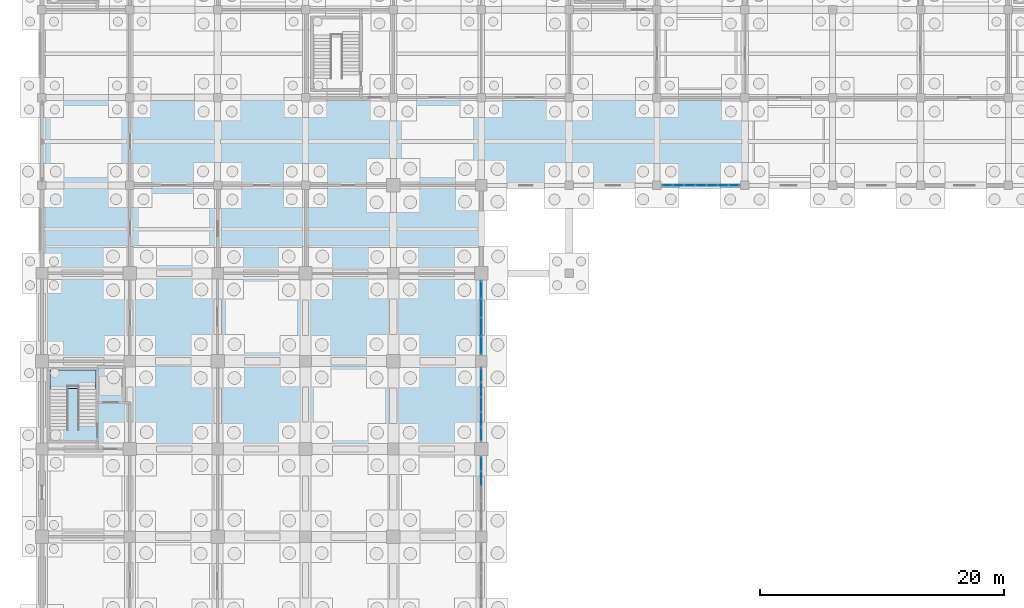
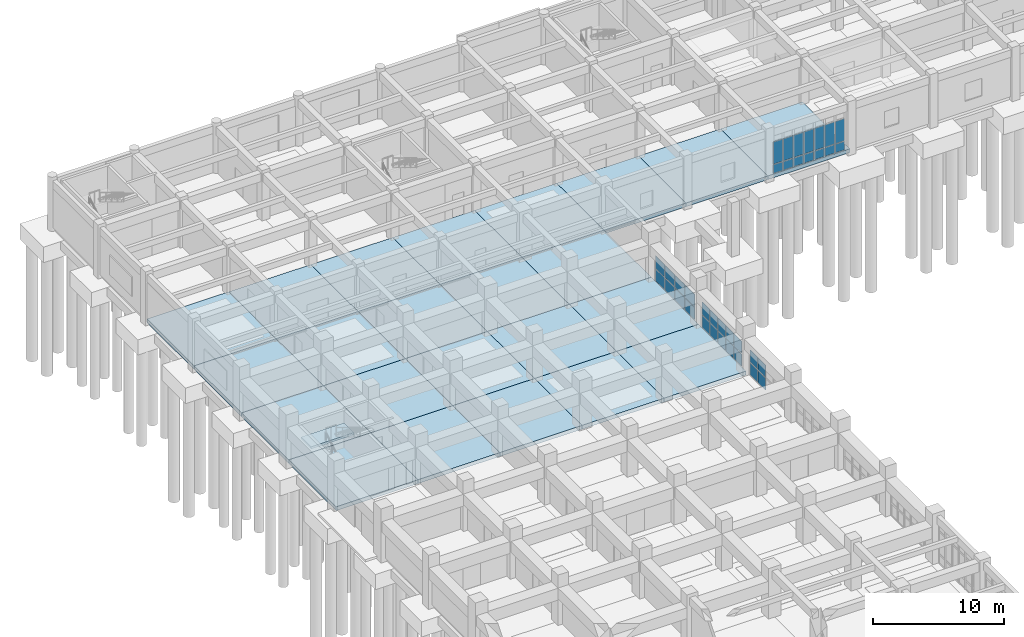
# One storey, part 47 of 79: 36 plates, 24 slabs, 5 elements without a shape of their own.
"""IFC4 building model written with IfcOpenShell, lengths in metres."""

from ifc_helpers import new_model, si_unit, direction, frame, origin, origin_2d, place, context, subcontext, project, spatial, polyline, rectangle, outline, extrude, material, layer, layer_set, type_object, element, aggregate, save


model = new_model("IFC4")

# Units and contexts
model_context = context("Model", 3, precision=1e-05, world=origin(), true_north=direction((0.0, 1.0)))
body_context = subcontext(model_context, "Body", "Model", "MODEL_VIEW")
ifc_project = project(units=[si_unit("LENGTHUNIT", "METRE"), si_unit("AREAUNIT", "SQUARE_METRE"), si_unit("VOLUMEUNIT", "CUBIC_METRE"), si_unit("PLANEANGLEUNIT", "RADIAN"), si_unit("MASSUNIT", "GRAM", prefix="KILO")], contexts=[model_context])

# Site, building, storey
site_placement = place(None, origin())
site = spatial("IfcSite", under=ifc_project, at=site_placement, CompositionType="ELEMENT")
building_placement = place(site_placement, origin())
building = spatial("IfcBuilding", under=site, at=building_placement, Name="Kavelor Marine Aquarium", CompositionType="ELEMENT")
storey_placement = place(building_placement, origin())
storey = spatial("IfcBuildingStorey", under=building, at=storey_placement, Name="L00", CompositionType="ELEMENT", Elevation=0.0)

# Curtain wall, plates
ifc_material_1 = material(Name="Thermally Broken Aluminium and Low-E Glass", Category="aluminium")
ifc_layer_1 = layer(ifc_material_1, 0.14794921875)
ifc_layer_set_1 = layer_set([ifc_layer_1], Name="CW-SYS1")
curtain_wall_type_1 = type_object("IfcCurtainWallType", Name="CW-SYS1", PredefinedType="USERDEFINED", material=ifc_layer_set_1)
curtain_wall_1_placement = place(storey_placement, origin())
curtain_wall_1 = element("IfcCurtainWall", 1, at=curtain_wall_1_placement, inside=storey, type_object=curtain_wall_type_1, Name="cw:x:L00:07_12", ObjectType="Curtain Wall", PredefinedType="USERDEFINED")
ifc_material_2 = material(Name="Solar-Control Double Low-E Glazing", Category="glass")
ifc_layer_2 = layer(ifc_material_2, 0.02587890625)
ifc_layer_set_2 = layer_set([ifc_layer_2], Name="CWP-01")
plate_type_1 = type_object("IfcPlateType", Name="CWP-01", PredefinedType="CURTAIN_PANEL", material=ifc_layer_set_2)
plate_1_placement = place(storey_placement, frame((59.928466796875, 89.199951171875, 0.074951171875), z_axis=(0.0, 0.0, 1.0), x_axis=(-1.0, 0.0, 0.0)))
plate_1 = element("IfcPlate", 2, at=plate_1_placement, type_object=plate_type_1, Name="CW01 panel 1.1", PredefinedType="CURTAIN_PANEL", context=body_context, shape_type="SweptSolid", body=[
    extrude(rectangle(XDim=0.80322265625, YDim=0.02587890625, at=origin_2d()), origin(), (0.0, 0.0, 1.0), 0.78759765625),
])
plate_2_placement = place(storey_placement, frame((59.928466796875, 89.199951171875, 0.9375), z_axis=(0.0, 0.0, 1.0), x_axis=(-1.0, 0.0, 0.0)))
plate_2 = element("IfcPlate", 3, at=plate_2_placement, type_object=plate_type_1, Name="CW01 panel 1.2", PredefinedType="CURTAIN_PANEL", context=body_context, shape_type="SweptSolid", body=[
    extrude(rectangle(XDim=0.80322265625, YDim=0.02587890625, at=origin_2d()), origin(), (0.0, 0.0, 1.0), 2.044921875),
])
plate_3_placement = place(storey_placement, frame((59.031494140625, 89.199951171875, 0.074951171875), z_axis=(0.0, 0.0, 1.0), x_axis=(-1.0, 0.0, 0.0)))
plate_3 = element("IfcPlate", 4, at=plate_3_placement, type_object=plate_type_1, Name="CW01 panel 2.1", PredefinedType="CURTAIN_PANEL", context=body_context, shape_type="SweptSolid", body=[
    extrude(rectangle(XDim=0.8408203125, YDim=0.02587890625, at=origin_2d()), origin(), (0.0, 0.0, 1.0), 0.78759765625),
])
plate_4_placement = place(storey_placement, frame((59.031494140625, 89.199951171875, 0.9375), z_axis=(0.0, 0.0, 1.0), x_axis=(-1.0, 0.0, 0.0)))
plate_4 = element("IfcPlate", 5, at=plate_4_placement, type_object=plate_type_1, Name="CW01 panel 2.2", PredefinedType="CURTAIN_PANEL", context=body_context, shape_type="SweptSolid", body=[
    extrude(rectangle(XDim=0.8408203125, YDim=0.02587890625, at=origin_2d()), origin(), (0.0, 0.0, 1.0), 2.044921875),
])
plate_5_placement = place(storey_placement, frame((58.11572265625, 89.199951171875, 0.074951171875), z_axis=(0.0, 0.0, 1.0), x_axis=(-1.0, 0.0, 0.0)))
plate_5 = element("IfcPlate", 6, at=plate_5_placement, type_object=plate_type_1, Name="CW01 panel 3.1", PredefinedType="CURTAIN_PANEL", context=body_context, shape_type="SweptSolid", body=[
    extrude(rectangle(XDim=0.8408203125, YDim=0.02587890625, at=origin_2d()), origin(), (0.0, 0.0, 1.0), 0.78759765625),
])
plate_6_placement = place(storey_placement, frame((58.11572265625, 89.199951171875, 0.9375), z_axis=(0.0, 0.0, 1.0), x_axis=(-1.0, 0.0, 0.0)))
plate_6 = element("IfcPlate", 7, at=plate_6_placement, type_object=plate_type_1, Name="CW01 panel 3.2", PredefinedType="CURTAIN_PANEL", context=body_context, shape_type="SweptSolid", body=[
    extrude(rectangle(XDim=0.8408203125, YDim=0.02587890625, at=origin_2d()), origin(), (0.0, 0.0, 1.0), 2.044921875),
])
plate_7_placement = place(storey_placement, frame((57.199951171875, 89.199951171875, 0.074951171875), z_axis=(0.0, 0.0, 1.0), x_axis=(-1.0, 0.0, 0.0)))
plate_7 = element("IfcPlate", 8, at=plate_7_placement, type_object=plate_type_1, Name="CW01 panel 4.1", PredefinedType="CURTAIN_PANEL", context=body_context, shape_type="SweptSolid", body=[
    extrude(rectangle(XDim=0.8408203125, YDim=0.02587890625, at=origin_2d()), origin(), (0.0, 0.0, 1.0), 0.78759765625),
])
plate_8_placement = place(storey_placement, frame((57.199951171875, 89.199951171875, 0.9375), z_axis=(0.0, 0.0, 1.0), x_axis=(-1.0, 0.0, 0.0)))
plate_8 = element("IfcPlate", 9, at=plate_8_placement, type_object=plate_type_1, Name="CW01 panel 4.2", PredefinedType="CURTAIN_PANEL", context=body_context, shape_type="SweptSolid", body=[
    extrude(rectangle(XDim=0.8408203125, YDim=0.02587890625, at=origin_2d()), origin(), (0.0, 0.0, 1.0), 2.044921875),
])
plate_9_placement = place(storey_placement, frame((56.2841796875, 89.199951171875, 0.074951171875), z_axis=(0.0, 0.0, 1.0), x_axis=(-1.0, 0.0, 0.0)))
plate_9 = element("IfcPlate", 10, at=plate_9_placement, type_object=plate_type_1, Name="CW01 panel 5.1", PredefinedType="CURTAIN_PANEL", context=body_context, shape_type="SweptSolid", body=[
    extrude(rectangle(XDim=0.8408203125, YDim=0.02587890625, at=origin_2d()), origin(), (0.0, 0.0, 1.0), 0.78759765625),
])
plate_10_placement = place(storey_placement, frame((56.2841796875, 89.199951171875, 0.9375), z_axis=(0.0, 0.0, 1.0), x_axis=(-1.0, 0.0, 0.0)))
plate_10 = element("IfcPlate", 11, at=plate_10_placement, type_object=plate_type_1, Name="CW01 panel 5.2", PredefinedType="CURTAIN_PANEL", context=body_context, shape_type="SweptSolid", body=[
    extrude(rectangle(XDim=0.8408203125, YDim=0.02587890625, at=origin_2d()), origin(), (0.0, 0.0, 1.0), 2.044921875),
])
plate_11_placement = place(storey_placement, frame((55.36865234375, 89.199951171875, 0.074951171875), z_axis=(0.0, 0.0, 1.0), x_axis=(-1.0, 0.0, 0.0)))
plate_11 = element("IfcPlate", 12, at=plate_11_placement, type_object=plate_type_1, Name="CW01 panel 6.1", PredefinedType="CURTAIN_PANEL", context=body_context, shape_type="SweptSolid", body=[
    extrude(rectangle(XDim=0.8408203125, YDim=0.02587890625, at=origin_2d()), origin(), (0.0, 0.0, 1.0), 0.78759765625),
])
plate_12_placement = place(storey_placement, frame((55.36865234375, 89.199951171875, 0.9375), z_axis=(0.0, 0.0, 1.0), x_axis=(-1.0, 0.0, 0.0)))
plate_12 = element("IfcPlate", 13, at=plate_12_placement, type_object=plate_type_1, Name="CW01 panel 6.2", PredefinedType="CURTAIN_PANEL", context=body_context, shape_type="SweptSolid", body=[
    extrude(rectangle(XDim=0.8408203125, YDim=0.02587890625, at=origin_2d()), origin(), (0.0, 0.0, 1.0), 2.044921875),
])
plate_13_placement = place(storey_placement, frame((54.4716796875, 89.199951171875, 0.074951171875), z_axis=(0.0, 0.0, 1.0), x_axis=(-1.0, 0.0, 0.0)))
plate_13 = element("IfcPlate", 14, at=plate_13_placement, type_object=plate_type_1, Name="CW01 panel 7.1", PredefinedType="CURTAIN_PANEL", context=body_context, shape_type="SweptSolid", body=[
    extrude(rectangle(XDim=0.80322265625, YDim=0.02587890625, at=origin_2d()), origin(), (0.0, 0.0, 1.0), 0.78759765625),
])
plate_14_placement = place(storey_placement, frame((54.4716796875, 89.199951171875, 0.9375), z_axis=(0.0, 0.0, 1.0), x_axis=(-1.0, 0.0, 0.0)))
plate_14 = element("IfcPlate", 15, at=plate_14_placement, type_object=plate_type_1, Name="CW01 panel 7.2", PredefinedType="CURTAIN_PANEL", context=body_context, shape_type="SweptSolid", body=[
    extrude(rectangle(XDim=0.80322265625, YDim=0.02587890625, at=origin_2d()), origin(), (0.0, 0.0, 1.0), 2.044921875),
])
aggregate(curtain_wall_1, [plate_1, plate_2, plate_3, plate_4, plate_5, plate_6, plate_7, plate_8, plate_9, plate_10, plate_11, plate_12, plate_13, plate_14])

ifc_material_3 = material(Name="Thermally Broken Aluminium and Low-E Glass", Category="aluminium")
ifc_layer_3 = layer(ifc_material_3, 0.196044921875)
ifc_layer_set_3 = layer_set([ifc_layer_3], Name="CW-SYS7")
curtain_wall_type_2 = type_object("IfcCurtainWallType", Name="CW-SYS7", PredefinedType="USERDEFINED", material=ifc_layer_set_3)
curtain_wall_2_placement = place(storey_placement, origin())
curtain_wall_2 = element("IfcCurtainWall", 16, at=curtain_wall_2_placement, inside=storey, type_object=curtain_wall_type_2, Name="cw:y:L00:05_08", ObjectType="Curtain Wall", PredefinedType="USERDEFINED")
ifc_material_4 = material(Name="Solar-Control Double Low-E Glazing", Category="glass")
ifc_layer_4 = layer(ifc_material_4, 0.0380859375)
ifc_layer_set_4 = layer_set([ifc_layer_4], Name="CWP-07")
plate_type_2 = type_object("IfcPlateType", Name="CWP-07", PredefinedType="CURTAIN_PANEL", material=ifc_layer_set_4)
plate_15_placement = place(storey_placement, frame((39.199951171875, 65.179443359375, 0.074951171875), z_axis=(0.0, 0.0, 1.0), x_axis=(0.0, 1.0, 0.0)))
plate_15 = element("IfcPlate", 17, at=plate_15_placement, type_object=plate_type_2, Name="CW07 panel 4.1", PredefinedType="CURTAIN_PANEL", context=body_context, shape_type="SweptSolid", body=[
    extrude(rectangle(XDim=1.14208984375, YDim=0.0380859375, at=origin_2d()), origin(), (0.0, 0.0, 1.0), 1.12255859375),
])
plate_16_placement = place(storey_placement, frame((39.199951171875, 65.179443359375, 1.2724609375), z_axis=(0.0, 0.0, 1.0), x_axis=(0.0, 1.0, 0.0)))
plate_16 = element("IfcPlate", 18, at=plate_16_placement, type_object=plate_type_2, Name="CW07 panel 4.2", PredefinedType="CURTAIN_PANEL", context=body_context, shape_type="SweptSolid", body=[
    extrude(rectangle(XDim=1.14208984375, YDim=0.0380859375, at=origin_2d()), origin(), (0.0, 0.0, 1.0), 1.12255859375),
])
plate_17_placement = place(storey_placement, frame((39.199951171875, 66.377685546875, 0.074951171875), z_axis=(0.0, 0.0, 1.0), x_axis=(0.0, 1.0, 0.0)))
plate_17 = element("IfcPlate", 19, at=plate_17_placement, type_object=plate_type_2, Name="CW07 panel 5.1", PredefinedType="CURTAIN_PANEL", context=body_context, shape_type="SweptSolid", body=[
    extrude(rectangle(XDim=1.1044921875, YDim=0.0380859375, at=origin_2d()), origin(), (0.0, 0.0, 1.0), 1.12255859375),
])
plate_18_placement = place(storey_placement, frame((39.199951171875, 66.377685546875, 1.2724609375), z_axis=(0.0, 0.0, 1.0), x_axis=(0.0, 1.0, 0.0)))
plate_18 = element("IfcPlate", 20, at=plate_18_placement, type_object=plate_type_2, Name="CW07 panel 5.2", PredefinedType="CURTAIN_PANEL", context=body_context, shape_type="SweptSolid", body=[
    extrude(rectangle(XDim=1.1044921875, YDim=0.0380859375, at=origin_2d()), origin(), (0.0, 0.0, 1.0), 1.12255859375),
])
aggregate(curtain_wall_2, [plate_15, plate_16, plate_17, plate_18])

ifc_material_5 = material(Name="Thermally Broken Aluminium and Low-E Glass", Category="aluminium")
ifc_layer_5 = layer(ifc_material_5, 0.2041015625)
ifc_layer_set_5 = layer_set([ifc_layer_5], Name="CW-SYS8")
curtain_wall_type_3 = type_object("IfcCurtainWallType", Name="CW-SYS8", PredefinedType="USERDEFINED", material=ifc_layer_set_5)
curtain_wall_3_placement = place(storey_placement, origin())
curtain_wall_3 = element("IfcCurtainWall", 21, at=curtain_wall_3_placement, inside=storey, type_object=curtain_wall_type_3, Name="cw:y:L00:05_09", ObjectType="Curtain Wall", PredefinedType="USERDEFINED")
ifc_material_6 = material(Name="Solar-Control Double Low-E Glazing", Category="glass")
ifc_layer_6 = layer(ifc_material_6, 0.0400390625)
ifc_layer_set_6 = layer_set([ifc_layer_6], Name="CWP-08")
plate_type_3 = type_object("IfcPlateType", Name="CWP-08", PredefinedType="CURTAIN_PANEL", material=ifc_layer_set_6)
plate_19_placement = place(storey_placement, frame((39.199951171875, 68.81982421875, 0.06494140625), z_axis=(0.0, 0.0, 1.0), x_axis=(0.0, 1.0, 0.0)))
plate_19 = element("IfcPlate", 22, at=plate_19_placement, type_object=plate_type_3, Name="CW08 panel 1.1", PredefinedType="CURTAIN_PANEL", context=body_context, shape_type="SweptSolid", body=[
    extrude(rectangle(XDim=1.119384765625, YDim=0.0400390625, at=origin_2d()), origin(), (0.0, 0.0, 1.0), 1.137451171875),
])
plate_20_placement = place(storey_placement, frame((39.199951171875, 68.81982421875, 1.267578125), z_axis=(0.0, 0.0, 1.0), x_axis=(0.0, 1.0, 0.0)))
plate_20 = element("IfcPlate", 23, at=plate_20_placement, type_object=plate_type_3, Name="CW08 panel 1.2", PredefinedType="CURTAIN_PANEL", context=body_context, shape_type="SweptSolid", body=[
    extrude(rectangle(XDim=1.119384765625, YDim=0.0400390625, at=origin_2d()), origin(), (0.0, 0.0, 1.0), 1.137451171875),
])
plate_21_placement = place(storey_placement, frame((39.199951171875, 70.0205078125, 0.06494140625), z_axis=(0.0, 0.0, 1.0), x_axis=(0.0, 1.0, 0.0)))
plate_21 = element("IfcPlate", 24, at=plate_21_placement, type_object=plate_type_3, Name="CW08 panel 2.1", PredefinedType="CURTAIN_PANEL", context=body_context, shape_type="SweptSolid", body=[
    extrude(rectangle(XDim=1.152099609375, YDim=0.0400390625, at=origin_2d()), origin(), (0.0, 0.0, 1.0), 1.137451171875),
])
plate_22_placement = place(storey_placement, frame((39.199951171875, 70.0205078125, 1.267578125), z_axis=(0.0, 0.0, 1.0), x_axis=(0.0, 1.0, 0.0)))
plate_22 = element("IfcPlate", 25, at=plate_22_placement, type_object=plate_type_3, Name="CW08 panel 2.2", PredefinedType="CURTAIN_PANEL", context=body_context, shape_type="SweptSolid", body=[
    extrude(rectangle(XDim=1.152099609375, YDim=0.0400390625, at=origin_2d()), origin(), (0.0, 0.0, 1.0), 1.137451171875),
])
plate_23_placement = place(storey_placement, frame((39.199951171875, 71.237548828125, 0.06494140625), z_axis=(0.0, 0.0, 1.0), x_axis=(0.0, 1.0, 0.0)))
plate_23 = element("IfcPlate", 26, at=plate_23_placement, type_object=plate_type_3, Name="CW08 panel 3.1", PredefinedType="CURTAIN_PANEL", context=body_context, shape_type="SweptSolid", body=[
    extrude(rectangle(XDim=1.152099609375, YDim=0.0400390625, at=origin_2d()), origin(), (0.0, 0.0, 1.0), 1.137451171875),
])
plate_24_placement = place(storey_placement, frame((39.199951171875, 71.237548828125, 1.267578125), z_axis=(0.0, 0.0, 1.0), x_axis=(0.0, 1.0, 0.0)))
plate_24 = element("IfcPlate", 27, at=plate_24_placement, type_object=plate_type_3, Name="CW08 panel 3.2", PredefinedType="CURTAIN_PANEL", context=body_context, shape_type="SweptSolid", body=[
    extrude(rectangle(XDim=1.152099609375, YDim=0.0400390625, at=origin_2d()), origin(), (0.0, 0.0, 1.0), 1.137451171875),
])
plate_25_placement = place(storey_placement, frame((39.199951171875, 72.45458984375, 0.06494140625), z_axis=(0.0, 0.0, 1.0), x_axis=(0.0, 1.0, 0.0)))
plate_25 = element("IfcPlate", 28, at=plate_25_placement, type_object=plate_type_3, Name="CW08 panel 4.1", PredefinedType="CURTAIN_PANEL", context=body_context, shape_type="SweptSolid", body=[
    extrude(rectangle(XDim=1.152099609375, YDim=0.0400390625, at=origin_2d()), origin(), (0.0, 0.0, 1.0), 1.137451171875),
])
plate_26_placement = place(storey_placement, frame((39.199951171875, 72.45458984375, 1.267578125), z_axis=(0.0, 0.0, 1.0), x_axis=(0.0, 1.0, 0.0)))
plate_26 = element("IfcPlate", 29, at=plate_26_placement, type_object=plate_type_3, Name="CW08 panel 4.2", PredefinedType="CURTAIN_PANEL", context=body_context, shape_type="SweptSolid", body=[
    extrude(rectangle(XDim=1.152099609375, YDim=0.0400390625, at=origin_2d()), origin(), (0.0, 0.0, 1.0), 1.137451171875),
])
plate_27_placement = place(storey_placement, frame((39.199951171875, 73.6552734375, 0.06494140625), z_axis=(0.0, 0.0, 1.0), x_axis=(0.0, 1.0, 0.0)))
plate_27 = element("IfcPlate", 30, at=plate_27_placement, type_object=plate_type_3, Name="CW08 panel 5.1", PredefinedType="CURTAIN_PANEL", context=body_context, shape_type="SweptSolid", body=[
    extrude(rectangle(XDim=1.119384765625, YDim=0.0400390625, at=origin_2d()), origin(), (0.0, 0.0, 1.0), 1.137451171875),
])
plate_28_placement = place(storey_placement, frame((39.199951171875, 73.6552734375, 1.267578125), z_axis=(0.0, 0.0, 1.0), x_axis=(0.0, 1.0, 0.0)))
plate_28 = element("IfcPlate", 31, at=plate_28_placement, type_object=plate_type_3, Name="CW08 panel 5.2", PredefinedType="CURTAIN_PANEL", context=body_context, shape_type="SweptSolid", body=[
    extrude(rectangle(XDim=1.119384765625, YDim=0.0400390625, at=origin_2d()), origin(), (0.0, 0.0, 1.0), 1.137451171875),
])
aggregate(curtain_wall_3, [plate_19, plate_20, plate_21, plate_22, plate_23, plate_24, plate_25, plate_26, plate_27, plate_28])

ifc_material_7 = material(Name="Thermally Broken Aluminium and Low-E Glass", Category="aluminium")
ifc_layer_7 = layer(ifc_material_7, 0.2119140625)
ifc_layer_set_7 = layer_set([ifc_layer_7], Name="CW-SYS9")
curtain_wall_type_4 = type_object("IfcCurtainWallType", Name="CW-SYS9", PredefinedType="USERDEFINED", material=ifc_layer_set_7)
curtain_wall_4_placement = place(storey_placement, origin())
curtain_wall_4 = element("IfcCurtainWall", 32, at=curtain_wall_4_placement, inside=storey, type_object=curtain_wall_type_4, Name="cw:y:L00:05_10", ObjectType="Curtain Wall", PredefinedType="USERDEFINED")
ifc_material_8 = material(Name="Solar-Control Double Low-E Glazing", Category="glass")
ifc_layer_8 = layer(ifc_material_8, 0.0419921875)
ifc_layer_set_8 = layer_set([ifc_layer_8], Name="CWP-09")
plate_type_4 = type_object("IfcPlateType", Name="CWP-09", PredefinedType="CURTAIN_PANEL", material=ifc_layer_set_8)
plate_29_placement = place(storey_placement, frame((39.199951171875, 76.095703125, 0.06494140625), z_axis=(0.0, 0.0, 1.0), x_axis=(0.0, 1.0, 0.0)))
plate_29 = element("IfcPlate", 33, at=plate_29_placement, type_object=plate_type_4, Name="CW09 panel 1.1", PredefinedType="CURTAIN_PANEL", context=body_context, shape_type="SweptSolid", body=[
    extrude(rectangle(XDim=1.43115234375, YDim=0.0419921875, at=origin_2d()), origin(), (0.0, 0.0, 1.0), 1.137451171875),
])
plate_30_placement = place(storey_placement, frame((39.199951171875, 76.095703125, 1.267578125), z_axis=(0.0, 0.0, 1.0), x_axis=(0.0, 1.0, 0.0)))
plate_30 = element("IfcPlate", 34, at=plate_30_placement, type_object=plate_type_4, Name="CW09 panel 1.2", PredefinedType="CURTAIN_PANEL", context=body_context, shape_type="SweptSolid", body=[
    extrude(rectangle(XDim=1.43115234375, YDim=0.0419921875, at=origin_2d()), origin(), (0.0, 0.0, 1.0), 1.137451171875),
])
plate_31_placement = place(storey_placement, frame((39.199951171875, 77.601806640625, 0.06494140625), z_axis=(0.0, 0.0, 1.0), x_axis=(0.0, 1.0, 0.0)))
plate_31 = element("IfcPlate", 35, at=plate_31_placement, type_object=plate_type_4, Name="CW09 panel 2.1", PredefinedType="CURTAIN_PANEL", context=body_context, shape_type="SweptSolid", body=[
    extrude(rectangle(XDim=1.461181640625, YDim=0.0419921875, at=origin_2d()), origin(), (0.0, 0.0, 1.0), 1.137451171875),
])
plate_32_placement = place(storey_placement, frame((39.199951171875, 77.601806640625, 1.267578125), z_axis=(0.0, 0.0, 1.0), x_axis=(0.0, 1.0, 0.0)))
plate_32 = element("IfcPlate", 36, at=plate_32_placement, type_object=plate_type_4, Name="CW09 panel 2.2", PredefinedType="CURTAIN_PANEL", context=body_context, shape_type="SweptSolid", body=[
    extrude(rectangle(XDim=1.461181640625, YDim=0.0419921875, at=origin_2d()), origin(), (0.0, 0.0, 1.0), 1.137451171875),
])
plate_33_placement = place(storey_placement, frame((39.199951171875, 79.123046875, 0.06494140625), z_axis=(0.0, 0.0, 1.0), x_axis=(0.0, 1.0, 0.0)))
plate_33 = element("IfcPlate", 37, at=plate_33_placement, type_object=plate_type_4, Name="CW09 panel 3.1", PredefinedType="CURTAIN_PANEL", context=body_context, shape_type="SweptSolid", body=[
    extrude(rectangle(XDim=1.461181640625, YDim=0.0419921875, at=origin_2d()), origin(), (0.0, 0.0, 1.0), 1.137451171875),
])
plate_34_placement = place(storey_placement, frame((39.199951171875, 79.123046875, 1.267578125), z_axis=(0.0, 0.0, 1.0), x_axis=(0.0, 1.0, 0.0)))
plate_34 = element("IfcPlate", 38, at=plate_34_placement, type_object=plate_type_4, Name="CW09 panel 3.2", PredefinedType="CURTAIN_PANEL", context=body_context, shape_type="SweptSolid", body=[
    extrude(rectangle(XDim=1.461181640625, YDim=0.0419921875, at=origin_2d()), origin(), (0.0, 0.0, 1.0), 1.137451171875),
])
plate_35_placement = place(storey_placement, frame((39.199951171875, 80.62939453125, 0.06494140625), z_axis=(0.0, 0.0, 1.0), x_axis=(0.0, 1.0, 0.0)))
plate_35 = element("IfcPlate", 39, at=plate_35_placement, type_object=plate_type_4, Name="CW09 panel 4.1", PredefinedType="CURTAIN_PANEL", context=body_context, shape_type="SweptSolid", body=[
    extrude(rectangle(XDim=1.43115234375, YDim=0.0419921875, at=origin_2d()), origin(), (0.0, 0.0, 1.0), 1.137451171875),
])
plate_36_placement = place(storey_placement, frame((39.199951171875, 80.62939453125, 1.267578125), z_axis=(0.0, 0.0, 1.0), x_axis=(0.0, 1.0, 0.0)))
plate_36 = element("IfcPlate", 40, at=plate_36_placement, type_object=plate_type_4, Name="CW09 panel 4.2", PredefinedType="CURTAIN_PANEL", context=body_context, shape_type="SweptSolid", body=[
    extrude(rectangle(XDim=1.43115234375, YDim=0.0419921875, at=origin_2d()), origin(), (0.0, 0.0, 1.0), 1.137451171875),
])
aggregate(curtain_wall_4, [plate_29, plate_30, plate_31, plate_32, plate_33, plate_34, plate_35, plate_36])

# Stair, slab
ifc_material_9 = material(Name="Concrete C40/50", Category="concrete")
stair_type = type_object("IfcStairType", Name="ST-T1", PredefinedType="HALF_TURN_STAIR", material=ifc_material_9)
stair_placement = place(storey_placement, origin())
stair = element("IfcStair", 41, at=stair_placement, inside=storey, type_object=stair_type, Name="Exit Stair ST03 (L00)", PredefinedType="HALF_TURN_STAIR")
ifc_material_10 = material(Name="Concrete C40/50", Category="concrete")
ifc_layer_9 = layer(ifc_material_10, 0.199951171875)
ifc_layer_set_9 = layer_set([ifc_layer_9], Name="LND-T1")
slab_type_1 = type_object("IfcSlabType", Name="LND-T1", PredefinedType="LANDING", material=ifc_layer_set_9)
slab_1_placement = place(storey_placement, frame((0.0, 0.0, 2.139892578125)))
slab_1 = element("IfcSlab", 42, at=slab_1_placement, type_object=slab_type_1, Name="ST03 landing 1", PredefinedType="LANDING", context=body_context, shape_type="SweptSolid", body=[
    extrude(outline(polyline([(3.860107421875, 72.554931640625), (7.6201171875, 72.554931640625), (7.6201171875, 74.06005859375), (3.860107421875, 74.06005859375), (3.860107421875, 72.554931640625)])), origin(), (0.0, 0.0, 1.0), 0.2001953125),
])
aggregate(stair, [slab_1])

# Slabs
ifc_material_11 = material(Name="Concrete C40/50", Category="concrete")
ifc_layer_10 = layer(ifc_material_11, 0.35009765625)
ifc_layer_set_10 = layer_set([ifc_layer_10], Name="SL-BS2")
slab_type_2 = type_object("IfcSlabType", Name="SL-BS2", PredefinedType="BASESLAB", material=ifc_layer_set_10)
slab_2_placement = place(storey_placement, frame((0.0, 0.0, -0.35009765625)))
element("IfcSlab", 43, at=slab_2_placement, inside=storey, type_object=slab_type_2, Name="slab:L00:00_09", PredefinedType="BASESLAB", context=body_context, shape_type="SweptSolid", body=[
    extrude(outline(polyline([(3.199951171875, 67.60009765625), (10.39990234375, 67.60009765625), (10.39990234375, 74.800048828125), (3.199951171875, 74.800048828125), (3.199951171875, 67.60009765625)])), origin(), (0.0, 0.0, 1.0), 0.35009765625),
])
slab_3_placement = place(storey_placement, frame((0.0, 0.0, -0.35009765625)))
element("IfcSlab", 44, at=slab_3_placement, inside=storey, type_object=slab_type_2, Name="slab:L00:00_10", PredefinedType="BASESLAB", context=body_context, shape_type="SweptSolid", body=[
    extrude(outline(polyline([(3.199951171875, 74.800048828125), (10.39990234375, 74.800048828125), (10.39990234375, 82.0), (3.199951171875, 82.0), (3.199951171875, 74.800048828125)])), origin(), (0.0, 0.0, 1.0), 0.35009765625),
])
slab_4_placement = place(storey_placement, frame((0.0, 0.0, -0.35009765625)))
element("IfcSlab", 45, at=slab_4_placement, inside=storey, type_object=slab_type_2, Name="slab:L00:00_11", PredefinedType="BASESLAB", context=body_context, shape_type="SweptSolid", body=[
    extrude(outline(polyline([(3.199951171875, 82.0), (10.39990234375, 82.0), (10.39990234375, 89.199951171875), (3.199951171875, 89.199951171875), (3.199951171875, 82.0)])), origin(), (0.0, 0.0, 1.0), 0.35009765625),
])
slab_5_placement = place(storey_placement, frame((0.0, 0.0, -0.35009765625)))
element("IfcSlab", 46, at=slab_5_placement, inside=storey, type_object=slab_type_2, Name="slab:L00:00_12", PredefinedType="BASESLAB", context=body_context, shape_type="SweptSolid", body=[
    extrude(outline(polyline([(3.199951171875, 89.199951171875), (10.39990234375, 89.199951171875), (10.39990234375, 96.39990234375), (3.199951171875, 96.39990234375), (3.199951171875, 89.199951171875)])), origin(), (0.0, 0.0, 1.0), 0.35009765625),
])
slab_6_placement = place(storey_placement, frame((0.0, 0.0, -0.35009765625)))
element("IfcSlab", 47, at=slab_6_placement, inside=storey, type_object=slab_type_2, Name="slab:L00:01_09", PredefinedType="BASESLAB", context=body_context, shape_type="SweptSolid", body=[
    extrude(outline(polyline([(10.39990234375, 67.60009765625), (17.60009765625, 67.60009765625), (17.60009765625, 74.800048828125), (10.39990234375, 74.800048828125), (10.39990234375, 67.60009765625)])), origin(), (0.0, 0.0, 1.0), 0.35009765625),
])
slab_7_placement = place(storey_placement, frame((0.0, 0.0, -0.35009765625)))
element("IfcSlab", 48, at=slab_7_placement, inside=storey, type_object=slab_type_2, Name="slab:L00:01_10", PredefinedType="BASESLAB", context=body_context, shape_type="SweptSolid", body=[
    extrude(outline(polyline([(10.39990234375, 74.800048828125), (17.60009765625, 74.800048828125), (17.60009765625, 82.0), (10.39990234375, 82.0), (10.39990234375, 74.800048828125)])), origin(), (0.0, 0.0, 1.0), 0.35009765625),
])
slab_8_placement = place(storey_placement, frame((0.0, 0.0, -0.35009765625)))
element("IfcSlab", 49, at=slab_8_placement, inside=storey, type_object=slab_type_2, Name="slab:L00:01_11", PredefinedType="BASESLAB", context=body_context, shape_type="SweptSolid", body=[
    extrude(outline(polyline([(10.39990234375, 82.0), (17.60009765625, 82.0), (17.60009765625, 89.199951171875), (10.39990234375, 89.199951171875), (10.39990234375, 82.0)])), origin(), (0.0, 0.0, 1.0), 0.35009765625),
])
slab_9_placement = place(storey_placement, frame((0.0, 0.0, -0.35009765625)))
element("IfcSlab", 50, at=slab_9_placement, inside=storey, type_object=slab_type_2, Name="slab:L00:01_12", PredefinedType="BASESLAB", context=body_context, shape_type="SweptSolid", body=[
    extrude(outline(polyline([(10.39990234375, 89.199951171875), (17.60009765625, 89.199951171875), (17.60009765625, 96.39990234375), (10.39990234375, 96.39990234375), (10.39990234375, 89.199951171875)])), origin(), (0.0, 0.0, 1.0), 0.35009765625),
])
slab_10_placement = place(storey_placement, frame((0.0, 0.0, -0.35009765625)))
element("IfcSlab", 51, at=slab_10_placement, inside=storey, type_object=slab_type_2, Name="slab:L00:02_09", PredefinedType="BASESLAB", context=body_context, shape_type="SweptSolid", body=[
    extrude(outline(polyline([(17.60009765625, 67.60009765625), (24.800048828125, 67.60009765625), (24.800048828125, 74.800048828125), (17.60009765625, 74.800048828125), (17.60009765625, 67.60009765625)])), origin(), (0.0, 0.0, 1.0), 0.35009765625),
])
slab_11_placement = place(storey_placement, frame((0.0, 0.0, -0.35009765625)))
element("IfcSlab", 52, at=slab_11_placement, inside=storey, type_object=slab_type_2, Name="slab:L00:02_10", PredefinedType="BASESLAB", context=body_context, shape_type="SweptSolid", body=[
    extrude(outline(polyline([(17.60009765625, 74.800048828125), (24.800048828125, 74.800048828125), (24.800048828125, 82.0), (17.60009765625, 82.0), (17.60009765625, 74.800048828125)])), origin(), (0.0, 0.0, 1.0), 0.35009765625),
])
slab_12_placement = place(storey_placement, frame((0.0, 0.0, -0.35009765625)))
element("IfcSlab", 53, at=slab_12_placement, inside=storey, type_object=slab_type_2, Name="slab:L00:02_11", PredefinedType="BASESLAB", context=body_context, shape_type="SweptSolid", body=[
    extrude(outline(polyline([(17.60009765625, 82.0), (24.800048828125, 82.0), (24.800048828125, 89.199951171875), (17.60009765625, 89.199951171875), (17.60009765625, 82.0)])), origin(), (0.0, 0.0, 1.0), 0.35009765625),
])
slab_13_placement = place(storey_placement, frame((0.0, 0.0, -0.35009765625)))
element("IfcSlab", 54, at=slab_13_placement, inside=storey, type_object=slab_type_2, Name="slab:L00:02_12", PredefinedType="BASESLAB", context=body_context, shape_type="SweptSolid", body=[
    extrude(outline(polyline([(17.60009765625, 89.199951171875), (24.800048828125, 89.199951171875), (24.800048828125, 96.39990234375), (17.60009765625, 96.39990234375), (17.60009765625, 89.199951171875)])), origin(), (0.0, 0.0, 1.0), 0.35009765625),
])
slab_14_placement = place(storey_placement, frame((0.0, 0.0, -0.35009765625)))
element("IfcSlab", 55, at=slab_14_placement, inside=storey, type_object=slab_type_2, Name="slab:L00:03_09", PredefinedType="BASESLAB", context=body_context, shape_type="SweptSolid", body=[
    extrude(outline(polyline([(24.800048828125, 67.60009765625), (32.0, 67.60009765625), (32.0, 74.800048828125), (24.800048828125, 74.800048828125), (24.800048828125, 67.60009765625)])), origin(), (0.0, 0.0, 1.0), 0.35009765625),
])
slab_15_placement = place(storey_placement, frame((0.0, 0.0, -0.35009765625)))
element("IfcSlab", 56, at=slab_15_placement, inside=storey, type_object=slab_type_2, Name="slab:L00:03_10", PredefinedType="BASESLAB", context=body_context, shape_type="SweptSolid", body=[
    extrude(outline(polyline([(24.800048828125, 74.800048828125), (32.0, 74.800048828125), (32.0, 82.0), (24.800048828125, 82.0), (24.800048828125, 74.800048828125)])), origin(), (0.0, 0.0, 1.0), 0.35009765625),
])
slab_16_placement = place(storey_placement, frame((0.0, 0.0, -0.35009765625)))
element("IfcSlab", 57, at=slab_16_placement, inside=storey, type_object=slab_type_2, Name="slab:L00:03_11", PredefinedType="BASESLAB", context=body_context, shape_type="SweptSolid", body=[
    extrude(outline(polyline([(24.800048828125, 82.0), (32.0, 82.0), (32.0, 89.199951171875), (24.800048828125, 89.199951171875), (24.800048828125, 82.0)])), origin(), (0.0, 0.0, 1.0), 0.35009765625),
])
slab_17_placement = place(storey_placement, frame((0.0, 0.0, -0.35009765625)))
element("IfcSlab", 58, at=slab_17_placement, inside=storey, type_object=slab_type_2, Name="slab:L00:03_12", PredefinedType="BASESLAB", context=body_context, shape_type="SweptSolid", body=[
    extrude(outline(polyline([(24.800048828125, 89.199951171875), (32.0, 89.199951171875), (32.0, 96.39990234375), (24.800048828125, 96.39990234375), (24.800048828125, 89.199951171875)])), origin(), (0.0, 0.0, 1.0), 0.35009765625),
])
slab_18_placement = place(storey_placement, frame((0.0, 0.0, -0.35009765625)))
element("IfcSlab", 59, at=slab_18_placement, inside=storey, type_object=slab_type_2, Name="slab:L00:04_09", PredefinedType="BASESLAB", context=body_context, shape_type="SweptSolid", body=[
    extrude(outline(polyline([(32.0, 67.60009765625), (39.199951171875, 67.60009765625), (39.199951171875, 74.800048828125), (32.0, 74.800048828125), (32.0, 67.60009765625)])), origin(), (0.0, 0.0, 1.0), 0.35009765625),
])
slab_19_placement = place(storey_placement, frame((0.0, 0.0, -0.35009765625)))
element("IfcSlab", 60, at=slab_19_placement, inside=storey, type_object=slab_type_2, Name="slab:L00:04_10", PredefinedType="BASESLAB", context=body_context, shape_type="SweptSolid", body=[
    extrude(outline(polyline([(32.0, 74.800048828125), (39.199951171875, 74.800048828125), (39.199951171875, 82.0), (32.0, 82.0), (32.0, 74.800048828125)])), origin(), (0.0, 0.0, 1.0), 0.35009765625),
])
slab_20_placement = place(storey_placement, frame((0.0, 0.0, -0.35009765625)))
element("IfcSlab", 61, at=slab_20_placement, inside=storey, type_object=slab_type_2, Name="slab:L00:04_11", PredefinedType="BASESLAB", context=body_context, shape_type="SweptSolid", body=[
    extrude(outline(polyline([(32.0, 82.0), (39.199951171875, 82.0), (39.199951171875, 89.199951171875), (32.0, 89.199951171875), (32.0, 82.0)])), origin(), (0.0, 0.0, 1.0), 0.35009765625),
])
slab_21_placement = place(storey_placement, frame((0.0, 0.0, -0.35009765625)))
element("IfcSlab", 62, at=slab_21_placement, inside=storey, type_object=slab_type_2, Name="slab:L00:04_12", PredefinedType="BASESLAB", context=body_context, shape_type="SweptSolid", body=[
    extrude(outline(polyline([(32.0, 89.199951171875), (39.199951171875, 89.199951171875), (39.199951171875, 96.39990234375), (32.0, 96.39990234375), (32.0, 89.199951171875)])), origin(), (0.0, 0.0, 1.0), 0.35009765625),
])
slab_22_placement = place(storey_placement, frame((0.0, 0.0, -0.35009765625)))
element("IfcSlab", 63, at=slab_22_placement, inside=storey, type_object=slab_type_2, Name="slab:L00:05_12", PredefinedType="BASESLAB", context=body_context, shape_type="SweptSolid", body=[
    extrude(outline(polyline([(39.199951171875, 89.199951171875), (46.39990234375, 89.199951171875), (46.39990234375, 96.39990234375), (39.199951171875, 96.39990234375), (39.199951171875, 89.199951171875)])), origin(), (0.0, 0.0, 1.0), 0.35009765625),
])
slab_23_placement = place(storey_placement, frame((0.0, 0.0, -0.35009765625)))
element("IfcSlab", 64, at=slab_23_placement, inside=storey, type_object=slab_type_2, Name="slab:L00:06_12", PredefinedType="BASESLAB", context=body_context, shape_type="SweptSolid", body=[
    extrude(outline(polyline([(46.39990234375, 89.199951171875), (53.60009765625, 89.199951171875), (53.60009765625, 96.39990234375), (46.39990234375, 96.39990234375), (46.39990234375, 89.199951171875)])), origin(), (0.0, 0.0, 1.0), 0.35009765625),
])
slab_24_placement = place(storey_placement, frame((0.0, 0.0, -0.35009765625)))
element("IfcSlab", 65, at=slab_24_placement, inside=storey, type_object=slab_type_2, Name="slab:L00:07_12", PredefinedType="BASESLAB", context=body_context, shape_type="SweptSolid", body=[
    extrude(outline(polyline([(53.60009765625, 89.199951171875), (60.800048828125, 89.199951171875), (60.800048828125, 96.39990234375), (53.60009765625, 96.39990234375), (53.60009765625, 89.199951171875)])), origin(), (0.0, 0.0, 1.0), 0.35009765625),
])

save(model, "model.ifc")
